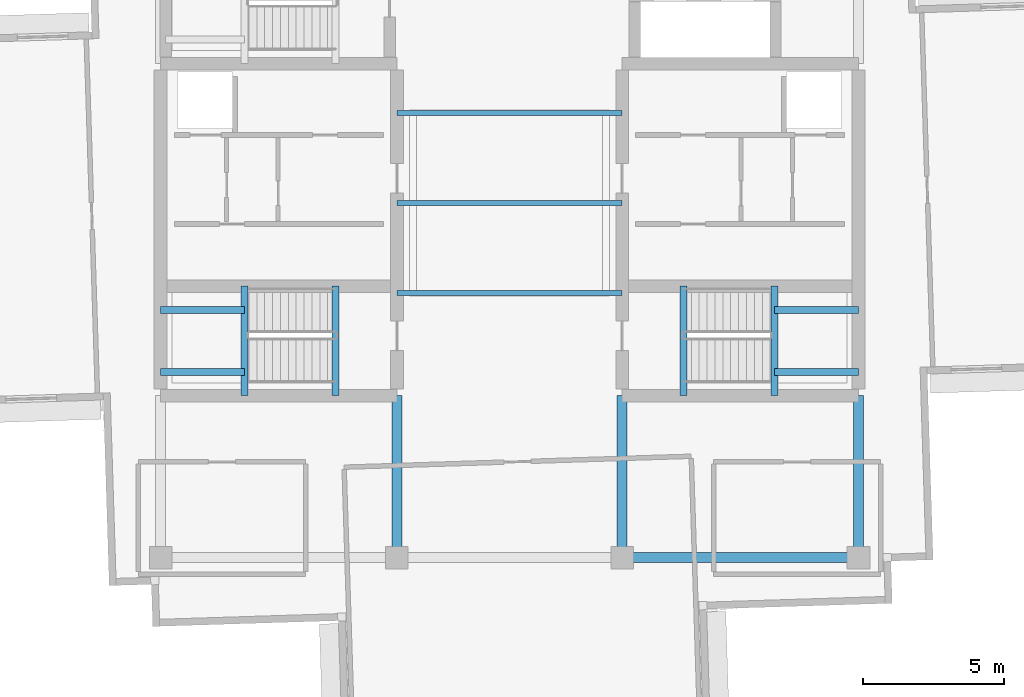
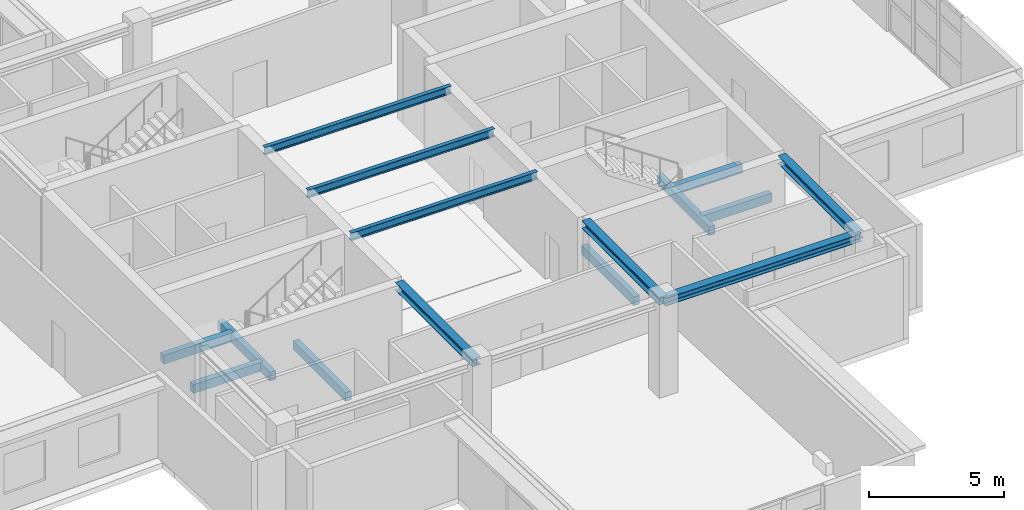
# One storey, part 5 of 18: 15 beams.
"""IFC4 building model written with IfcOpenShell, lengths in metres."""

from ifc_helpers import new_model, si_unit, direction, frame, origin, origin_2d, place, context, subcontext, project, spatial, rectangle, i_section, extrude, material, material_profile, profile_set, type_object, element, save


model = new_model("IFC4")

# Units and contexts
model_context = context("Model", 3, precision=1e-05, world=origin(), true_north=direction((0.0, 1.0)))
body_context = subcontext(model_context, "Body", "Model", "MODEL_VIEW")
ifc_project = project(units=[si_unit("LENGTHUNIT", "METRE"), si_unit("AREAUNIT", "SQUARE_METRE"), si_unit("VOLUMEUNIT", "CUBIC_METRE"), si_unit("PLANEANGLEUNIT", "RADIAN"), si_unit("MASSUNIT", "GRAM", prefix="KILO")], contexts=[model_context])

# Site, building, storey
site_placement = place(None, origin())
site = spatial("IfcSite", under=ifc_project, at=site_placement, CompositionType="ELEMENT")
building_placement = place(site_placement, origin())
building = spatial("IfcBuilding", under=site, at=building_placement, Name="Qingluan Cross Belvedere", CompositionType="ELEMENT")
storey_placement = place(building_placement, frame((0.0, 0.0, 299.39990234375)))
storey = spatial("IfcBuildingStorey", under=building, at=storey_placement, Name="L74", CompositionType="ELEMENT", Elevation=299.39990234375)

# Beams
ifc_material_1 = material(Name="Concrete C45", Category="concrete")
ifc_material_profile_1 = material_profile(ifc_material_1, rectangle(XDim=0.25, YDim=0.39990234375, at=origin_2d()), Name="RC250x400")
ifc_profile_set_1 = profile_set([ifc_material_profile_1], Name="Concrete C45")
beam_type_1 = type_object("IfcBeamType", Name="RC_Lintel_RC250x400", PredefinedType="LINTEL", material=ifc_profile_set_1)
for number, where, z_axis, x_axis, name in (
    (1, (-6.179931640625, -6.85009765625, -0.199951171875), (0.0, 1.0, 0.0), (-1.0, 0.0, 0.0), "Stair ST1 landing beam L74"),
    (2, (6.179931640625, -6.85009765625, -0.199951171875), (0.0, 1.0, 0.0), (-1.0, 0.0, 0.0), "Stair ST2 landing beam L74"),
    (3, (-9.409912109375, -6.85009765625, 1.85009765625), (0.0, 1.0, 0.0), (-1.0, 0.0, 0.0), "Stair ST1 beam A L74"),
):
    element("IfcBeam", number, at=place(storey_placement, frame(where, z_axis=z_axis, x_axis=x_axis)), inside=storey, type_object=beam_type_1, Name=name, PredefinedType="LINTEL", context=body_context, shape_type="SweptSolid", body=[
        extrude(rectangle(XDim=0.25, YDim=0.39990234375, at=origin_2d()), origin(), (0.0, 0.0, 1.0), 3.89013671875),
    ])
for number, where, z_axis, x_axis, name in (
    (4, (-12.39990234375, -6.0, 1.85009765625), (1.0, 0.0, 0.0), (0.0, 1.0, 0.0), "Stair ST1 beam B L74"),
    (5, (-12.39990234375, -3.81005859375, 1.85009765625), (1.0, 0.0, 0.0), (0.0, 1.0, 0.0), "Stair ST1 beam C L74"),
):
    element("IfcBeam", number, at=place(storey_placement, frame(where, z_axis=z_axis, x_axis=x_axis)), inside=storey, type_object=beam_type_1, Name=name, PredefinedType="LINTEL", context=body_context, shape_type="SweptSolid", body=[
        extrude(rectangle(XDim=0.25, YDim=0.39990234375, at=origin_2d()), origin(), (0.0, 0.0, 1.0), 2.989990234375),
    ])
beam_1_placement = place(storey_placement, frame((9.409912109375, -6.85009765625, 1.85009765625), z_axis=(0.0, 1.0, 0.0), x_axis=(-1.0, 0.0, 0.0)))
element("IfcBeam", 6, at=beam_1_placement, inside=storey, type_object=beam_type_1, Name="Stair ST2 beam A L74", PredefinedType="LINTEL", context=body_context, shape_type="SweptSolid", body=[
    extrude(rectangle(XDim=0.25, YDim=0.39990234375, at=origin_2d()), origin(), (0.0, 0.0, 1.0), 3.89013671875),
])
for number, where, z_axis, x_axis, name in (
    (7, (12.39990234375, -6.0, 1.85009765625), (-1.0, 0.0, 0.0), (0.0, -1.0, 0.0), "Stair ST2 beam B L74"),
    (8, (12.39990234375, -3.81005859375, 1.85009765625), (-1.0, 0.0, 0.0), (0.0, -1.0, 0.0), "Stair ST2 beam C L74"),
):
    element("IfcBeam", number, at=place(storey_placement, frame(where, z_axis=z_axis, x_axis=x_axis)), inside=storey, type_object=beam_type_1, Name=name, PredefinedType="LINTEL", context=body_context, shape_type="SweptSolid", body=[
        extrude(rectangle(XDim=0.25, YDim=0.39990234375, at=origin_2d()), origin(), (0.0, 0.0, 1.0), 2.989990234375),
    ])
ifc_material_2 = material(Name="Steel Q420GJB", Category="steel")
ifc_material_profile_2 = material_profile(ifc_material_2, i_section(OverallWidth=0.175048828125, OverallDepth=0.35009765625, WebThickness=0.007080078125, FlangeThickness=0.010986328125, FilletRadius=0.012939453125, at=origin_2d()), Name="HN350x175x7x11")
ifc_profile_set_2 = profile_set([ifc_material_profile_2], Name="Steel Q420GJB")
beam_type_2 = type_object("IfcBeamType", Name="Steel_Beam_HN350x175x7x11", PredefinedType="JOIST", material=ifc_profile_set_2)
for number, where, z_axis, x_axis, name in (
    (9, (-4.0, -3.199951171875, 4.0751953125), (1.0, 0.0, 0.0), (0.0, 1.0, 0.0), "Hall beam L74-CH1"),
    (10, (-4.0, 0.0, 4.0751953125), (1.0, 0.0, 0.0), (0.0, 1.0, 0.0), "Hall beam L74-CH2"),
    (11, (-4.0, 3.199951171875, 4.0751953125), (1.0, 0.0, 0.0), (0.0, 1.0, 0.0), "Hall beam L74-CH3"),
):
    element("IfcBeam", number, at=place(storey_placement, frame(where, z_axis=z_axis, x_axis=x_axis)), inside=storey, type_object=beam_type_2, Name=name, PredefinedType="JOIST", context=body_context, shape_type="SweptSolid", body=[
        extrude(i_section(OverallWidth=0.175048828125, OverallDepth=0.35009765625, WebThickness=0.007080078125, FlangeThickness=0.010986328125, FilletRadius=0.012939453125, at=origin_2d()), origin(), (0.0, 0.0, 1.0), 8.0),
    ])
ifc_material_3 = material(Name="Steel Q420GJB", Category="steel")
ifc_material_profile_3 = material_profile(ifc_material_3, i_section(OverallWidth=0.35009765625, OverallDepth=0.35009765625, WebThickness=0.011962890625, FlangeThickness=0.01904296875, FilletRadius=0.02001953125, at=origin_2d()), Name="HW350x350x12x19")
ifc_profile_set_3 = profile_set([ifc_material_profile_3], Name="Steel Q420GJB")
beam_type_3 = type_object("IfcBeamType", Name="Steel_Girder_HW350x350x12x19", PredefinedType="USERDEFINED", material=ifc_profile_set_3)
beam_2_placement = place(storey_placement, frame((4.0, -12.60009765625, 4.0751953125), z_axis=(1.0, 0.0, 0.0), x_axis=(0.0, 1.0, 0.0)))
element("IfcBeam", 12, at=beam_2_placement, inside=storey, type_object=beam_type_3, Name="Hub girder L74-HG-S3", ObjectType="GIRDER", PredefinedType="USERDEFINED", context=body_context, shape_type="SweptSolid", body=[
    extrude(i_section(OverallWidth=0.35009765625, OverallDepth=0.35009765625, WebThickness=0.011962890625, FlangeThickness=0.01904296875, FilletRadius=0.02001953125, at=origin_2d()), origin(), (0.0, 0.0, 1.0), 8.39990234375),
])
for number, where, z_axis, x_axis, name in (
    (13, (12.39990234375, -12.60009765625, 4.0751953125), (0.0, 1.0, 0.0), (-1.0, 0.0, 0.0), "Hub girder L74-HG-E1"),
    (14, (-4.0, -12.60009765625, 4.0751953125), (0.0, 1.0, 0.0), (-1.0, 0.0, 0.0), "Hub girder L74-HG-CW"),
    (15, (4.0, -12.60009765625, 4.0751953125), (0.0, 1.0, 0.0), (-1.0, 0.0, 0.0), "Hub girder L74-HG-CE"),
):
    element("IfcBeam", number, at=place(storey_placement, frame(where, z_axis=z_axis, x_axis=x_axis)), inside=storey, type_object=beam_type_3, Name=name, ObjectType="GIRDER", PredefinedType="USERDEFINED", context=body_context, shape_type="SweptSolid", body=[
        extrude(i_section(OverallWidth=0.35009765625, OverallDepth=0.35009765625, WebThickness=0.011962890625, FlangeThickness=0.01904296875, FilletRadius=0.02001953125, at=origin_2d()), origin(), (0.0, 0.0, 1.0), 5.75),
    ])

save(model, "model.ifc")
